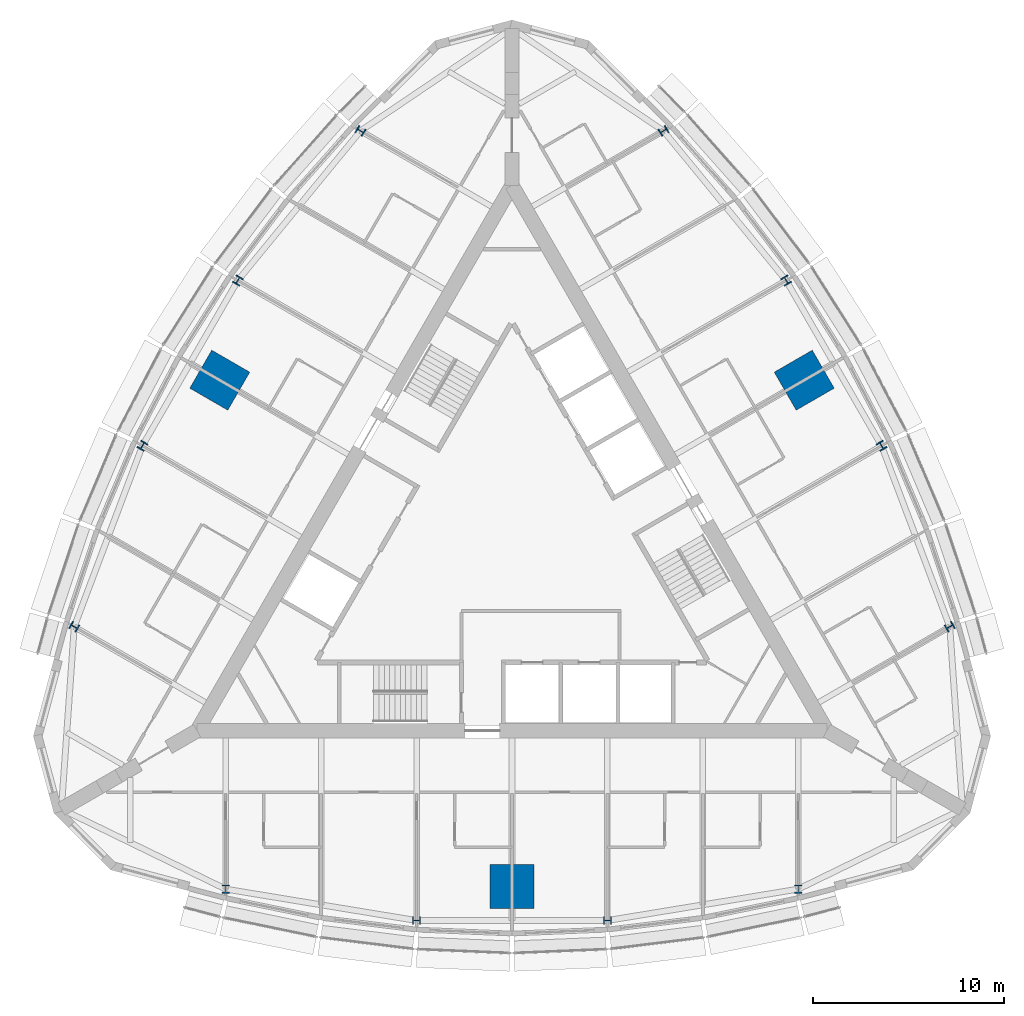
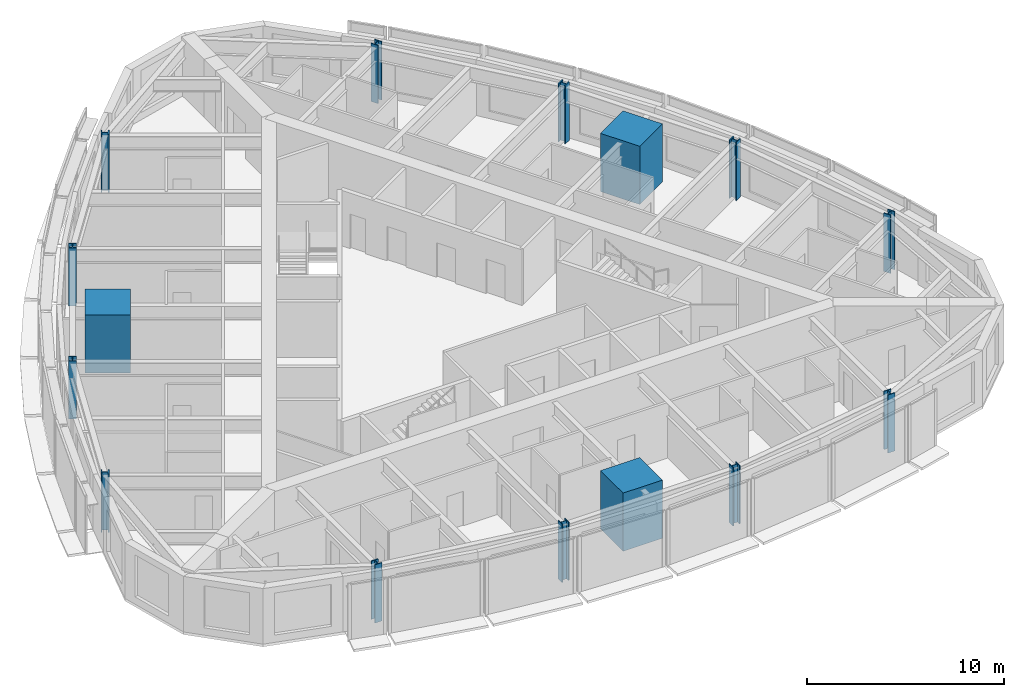
# One storey, part 1 of 15: 15 columns.
"""IFC4 building model written with IfcOpenShell, lengths in metres."""

from ifc_helpers import new_model, si_unit, direction, frame, origin, origin_2d, place, context, subcontext, project, spatial, rectangle, i_section, extrude, material, material_profile, profile_set, type_object, element, save


model = new_model("IFC4")

# Units and contexts
model_context = context("Model", 3, precision=1e-05, world=origin(), true_north=direction((0.0, 1.0)))
body_context = subcontext(model_context, "Body", "Model", "MODEL_VIEW")
ifc_project = project(units=[si_unit("LENGTHUNIT", "METRE"), si_unit("AREAUNIT", "SQUARE_METRE"), si_unit("VOLUMEUNIT", "CUBIC_METRE"), si_unit("PLANEANGLEUNIT", "RADIAN"), si_unit("MASSUNIT", "GRAM", prefix="KILO")], contexts=[model_context])

# Site, building, storey
site_placement = place(None, origin())
site = spatial("IfcSite", under=ifc_project, at=site_placement, CompositionType="ELEMENT")
building_placement = place(site_placement, origin())
building = spatial("IfcBuilding", under=site, at=building_placement, Name="Trikona Tower", CompositionType="ELEMENT")
storey_placement = place(building_placement, frame((0.0, 0.0, 226.10009765625)))
storey = spatial("IfcBuildingStorey", under=building, at=storey_placement, Name="L60", CompositionType="ELEMENT", Elevation=226.10009765625)

# Columns
ifc_material_1 = material(Name="Concrete f'c 10000 psi with encased steel section", Category="concrete")
ifc_material_profile_1 = material_profile(ifc_material_1, rectangle(XDim=2.300048828125, YDim=2.300048828125, at=origin_2d()), Name="MC2300")
ifc_profile_set_1 = profile_set([ifc_material_profile_1], Name="Concrete f'c 10000 psi with encased steel section")
column_type_1 = type_object("IfcColumnType", Name="Composite mega column 2300x2300", PredefinedType="COLUMN", material=ifc_profile_set_1)
for number, where, z_axis, x_axis, name in (
    (1, (0.0, -17.680419921875, 0.0), (0.0, 0.0, 1.0), (0.0, -1.0, 0.0), "Mega column MC1"),
    (2, (15.311767578125, 8.84033203125, 0.0), (0.0, 0.0, 1.0), (0.866025403784, 0.5, 0.0), "Mega column MC2"),
    (3, (-15.311767578125, 8.84033203125, 0.0), (0.0, 0.0, 1.0), (-0.866025403784, 0.5, 0.0), "Mega column MC3"),
):
    element("IfcColumn", number, at=place(storey_placement, frame(where, z_axis=z_axis, x_axis=x_axis)), inside=storey, type_object=column_type_1, Name=name, PredefinedType="COLUMN", context=body_context, shape_type="SweptSolid", body=[
        extrude(rectangle(XDim=2.300048828125, YDim=2.300048828125, at=origin_2d()), origin(), (0.0, 0.0, 1.0), 3.599853515625),
    ])
ifc_material_2 = material(Name="Steel ASTM A992 Grade 50", Category="steel")
ifc_material_profile_2 = material_profile(ifc_material_2, i_section(OverallWidth=0.411376953125, OverallDepth=0.434326171875, WebThickness=0.035888671875, FlangeThickness=0.057373046875, at=origin_2d()), Name="W14X311")
ifc_profile_set_2 = profile_set([ifc_material_profile_2], Name="Steel ASTM A992 Grade 50")
column_type_2 = type_object("IfcColumnType", Name="Steel column W14x311", PredefinedType="COLUMN", material=ifc_profile_set_2)
for number, where, z_axis, x_axis, name in (
    (4, (-15.0, -17.824951171875, 0.0), (0.0, 0.0, 1.0), (1.0, 0.0, 0.0), "Column F0m15"),
    (5, (-5.0, -19.471923828125, 0.0), (0.0, 0.0, 1.0), (0.0, -1.0, 0.0), "Column F0m5"),
    (6, (5.0, -19.471923828125, 0.0), (0.0, 0.0, 1.0), (0.0, -1.0, 0.0), "Column F0p5"),
    (7, (15.0, -17.824951171875, 0.0), (0.0, 0.0, 1.0), (1.0, 0.0, 0.0), "Column F0p15"),
    (8, (22.936767578125, -4.077880859375, 0.0), (0.0, 0.0, 1.0), (-0.5, 0.866025403784, 0.0), "Column F1m15"),
    (9, (19.36328125, 5.406005859375, 0.0), (0.0, 0.0, 1.0), (0.866025403784, 0.5, 0.0), "Column F1m5"),
    (10, (14.36328125, 14.066162109375, 0.0), (0.0, 0.0, 1.0), (0.866025403784, 0.5, 0.0), "Column F1p5"),
    (11, (7.936767578125, 21.90283203125, 0.0), (0.0, 0.0, 1.0), (-0.5, 0.866025403784, 0.0), "Column F1p15"),
    (12, (-7.936767578125, 21.90283203125, 0.0), (0.0, 0.0, 1.0), (-0.5, -0.866025403784, 0.0), "Column F2m15"),
    (13, (-14.36328125, 14.066162109375, 0.0), (0.0, 0.0, 1.0), (-0.866025403784, 0.5, 0.0), "Column F2m5"),
    (14, (-19.36328125, 5.406005859375, 0.0), (0.0, 0.0, 1.0), (-0.866025403784, 0.5, 0.0), "Column F2p5"),
    (15, (-22.936767578125, -4.077880859375, 0.0), (0.0, 0.0, 1.0), (-0.5, -0.866025403784, 0.0), "Column F2p15"),
):
    element("IfcColumn", number, at=place(storey_placement, frame(where, z_axis=z_axis, x_axis=x_axis)), inside=storey, type_object=column_type_2, Name=name, PredefinedType="COLUMN", context=body_context, shape_type="SweptSolid", body=[
        extrude(i_section(OverallWidth=0.411376953125, OverallDepth=0.434326171875, WebThickness=0.035888671875, FlangeThickness=0.057373046875, at=origin_2d()), origin(), (0.0, 0.0, 1.0), 3.599853515625),
    ])

save(model, "model.ifc")
